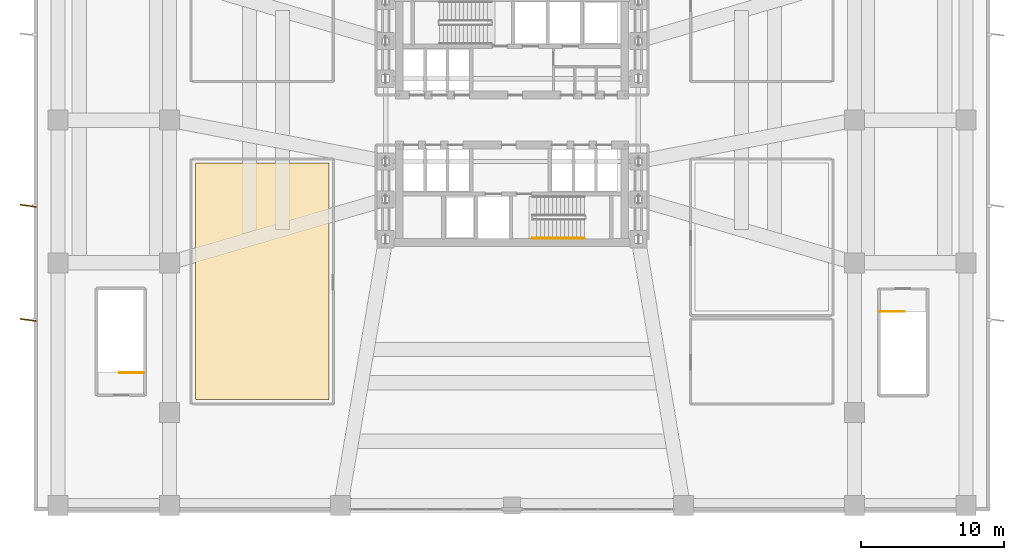
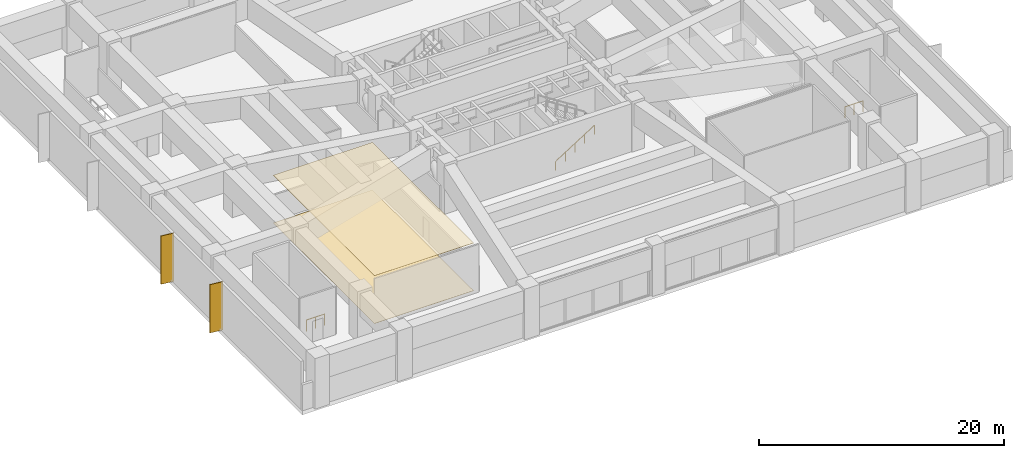
# One storey, part 11 of 14: 3 railings, 2 coverings, 2 shading devices.
"""IFC4 building model written with IfcOpenShell, lengths in metres."""

import ifcopenshell
import ifcopenshell.guid

model = None  # the IFC model being written
_history = None  # IfcOwnerHistory: only IFC2X3 demands one
_inside = {}  # id of a spatial element -> (the spatial element, [elements in it])
_under = {}  # id of a project, library or spatial element -> (it, [spatial elements below it])
_declared = {}  # id of a project -> (the project, [libraries it declares])
_typed = {}  # id of a type object -> (the type object, [elements of that type])
_made_of = {}  # id of a material, layer set ... -> (it, [elements and type objects made of it])


def new_model(schema):
    """Start an empty IFC model of exactly this schema.

    Asked for "IFC4X3", IfcOpenShell would pick the latest addendum, in which some entities
    have other attributes; the version numbers below select the first issue.
    IFC2X3 requires an IfcOwnerHistory on every rooted entity: one is made here for all.
    """
    global model, _history
    if schema == "IFC4X3":
        model = ifcopenshell.file(schema_version=(4, 3, 0, 0))
    else:
        model = ifcopenshell.file(schema=schema)
    _inside.clear()
    _under.clear()
    _declared.clear()
    _typed.clear()
    _made_of.clear()
    _history = None
    if model.schema == "IFC2X3":
        org = make("IfcOrganization", Name="unknown")
        user = make(
            "IfcPersonAndOrganization",
            ThePerson=make("IfcPerson", FamilyName="unknown"),
            TheOrganization=org,
        )
        app = make(
            "IfcApplication",
            ApplicationDeveloper=org,
            Version="unknown",
            ApplicationFullName="unknown",
            ApplicationIdentifier="unknown",
        )
        _history = make(
            "IfcOwnerHistory",
            OwningUser=user,
            OwningApplication=app,
            ChangeAction="ADDED",
            CreationDate=0,
        )
    return model


def make(cls, **values):
    """One entity of the class cls with the attributes given. An attribute that is None is left unset."""
    return model.create_entity(
        cls, **{name: value for name, value in values.items() if value is not None}
    )


def rooted(cls, **values):
    """An entity with a GlobalId (a new one), such as an element, a storey or a relation."""
    return make(cls, GlobalId=ifcopenshell.guid.new(), OwnerHistory=_history, **values)


def si_unit(unit_type, name, prefix=None):
    """IfcSIUnit, for example si_unit("LENGTHUNIT", "METRE", prefix="MILLI")."""
    return make("IfcSIUnit", UnitType=unit_type, Prefix=prefix, Name=name)


def assignment(units):
    """IfcUnitAssignment: the units of a project."""
    return None if units is None else make("IfcUnitAssignment", Units=units)


def point(xyz):
    """IfcCartesianPoint."""
    return None if xyz is None else make("IfcCartesianPoint", Coordinates=xyz)


def direction(xyz):
    """IfcDirection."""
    return None if xyz is None else make("IfcDirection", DirectionRatios=xyz)


def frame(location, z_axis=None, x_axis=None):
    """IfcAxis2Placement3D, a coordinate frame: its origin and axes. An axis left out is left unset."""
    return make(
        "IfcAxis2Placement3D",
        Location=point(location),
        Axis=direction(z_axis),
        RefDirection=direction(x_axis),
    )


def frame_2d(location, x_axis=None):
    """IfcAxis2Placement2D, a coordinate frame in the plane: its origin and x axis."""
    return make(
        "IfcAxis2Placement2D", Location=point(location), RefDirection=direction(x_axis)
    )


def origin():
    """The frame at (0, 0, 0) with its axes left unset."""
    return frame((0.0, 0.0, 0.0))


def origin_2d():
    """The frame at (0, 0) in the plane with its x axis left unset."""
    return frame_2d((0.0, 0.0))


def place(relative_to, where):
    """IfcLocalPlacement: puts the frame where relative to a parent placement (None: the world)."""
    return make(
        "IfcLocalPlacement", PlacementRelTo=relative_to, RelativePlacement=where
    )


def context(
    kind, dimensions, precision=None, world=None, true_north=None, identifier=None
):
    """IfcGeometricRepresentationContext, for example the 3D "Model" context."""
    return make(
        "IfcGeometricRepresentationContext",
        ContextIdentifier=identifier,
        ContextType=kind,
        CoordinateSpaceDimension=dimensions,
        Precision=precision,
        WorldCoordinateSystem=world,
        TrueNorth=true_north,
    )


def subcontext(parent, identifier, kind, view, scale=None):
    """IfcGeometricRepresentationSubContext, for example "Body" below "Model"."""
    return make(
        "IfcGeometricRepresentationSubContext",
        ContextIdentifier=identifier,
        ContextType=kind,
        ParentContext=parent,
        TargetScale=scale,
        TargetView=view,
    )


def project(units=None, contexts=None):
    """IfcProject with its units and contexts."""
    return rooted(
        "IfcProject",
        Name="project",
        RepresentationContexts=contexts,
        UnitsInContext=assignment(units),
    )


def spatial(cls, under=None, at=None, **own):
    """A site, building, storey or space (cls), placed at a placement, below another one or the project."""
    s = rooted(cls, ObjectPlacement=at, **own)
    if under is not None:
        _under.setdefault(under.id(), (under, []))[1].append(s)
    return s


def polyline(points):
    """IfcPolyline through the points."""
    return make("IfcPolyline", Points=[point(p) for p in points])


def profile(cls, at=None, kind="AREA", **sizes):
    """A parametric profile (cls). Its sizes go by their IFC names, for example OverallWidth=200.0."""
    return make(cls, ProfileType=kind, Position=at, **sizes)


def rectangle(**sizes):
    """IfcRectangleProfileDef."""
    return profile("IfcRectangleProfileDef", **sizes)


def circle(**sizes):
    """IfcCircleProfileDef."""
    return profile("IfcCircleProfileDef", **sizes)


def outline(outer, holes=None, kind="AREA"):
    """IfcArbitraryClosedProfileDef: a profile drawn as a closed curve; with holes, ...WithVoids."""
    if holes is None:
        return make("IfcArbitraryClosedProfileDef", ProfileType=kind, OuterCurve=outer)
    return make(
        "IfcArbitraryProfileDefWithVoids",
        ProfileType=kind,
        OuterCurve=outer,
        InnerCurves=holes,
    )


def extrude(swept, where, along, depth):
    """IfcExtrudedAreaSolid: the profile swept, set in the frame where, extruded along a direction by depth."""
    return make(
        "IfcExtrudedAreaSolid",
        SweptArea=swept,
        Position=where,
        ExtrudedDirection=direction(along),
        Depth=depth,
    )


def shape(context_of_items, identifier, shape_type, items):
    """IfcShapeRepresentation: the items that make up one representation, for example the "Body"."""
    return make(
        "IfcShapeRepresentation",
        ContextOfItems=context_of_items,
        RepresentationIdentifier=identifier,
        RepresentationType=shape_type,
        Items=items,
    )


def material(Name=None, Category=None):
    """IfcMaterial."""
    return make("IfcMaterial", Name=Name, Category=Category)


def layer(
    of_material, thickness, ventilated=None, Name=None, Category=None, Priority=None
):
    """IfcMaterialLayer: one layer of a wall or slab, of a material (None: an air gap)."""
    return make(
        "IfcMaterialLayer",
        Material=of_material,
        LayerThickness=thickness,
        IsVentilated=ventilated,
        Name=Name,
        Category=Category,
        Priority=Priority,
    )


def layer_set(layers, Name=None):
    """IfcMaterialLayerSet."""
    return make("IfcMaterialLayerSet", MaterialLayers=layers, LayerSetName=Name)


def made_of(thing, what):
    """Note that an element or type object is made of a material, layer set ...; save() writes the relation."""
    if what is not None:
        _made_of.setdefault(what.id(), (what, []))[1].append(thing)
    return thing


def type_object(cls, material=None, **own):
    """A type object (cls), such as IfcWallType, which elements share."""
    return made_of(rooted(cls, **own), material)


def element(
    cls,
    number,
    at=None,
    inside=None,
    cuts=None,
    type_object=None,
    material=None,
    context=None,
    identifier="Body",
    shape_type=None,
    held_by="IfcProductDefinitionShape",
    body=None,
    shapes=None,
    **own,
):
    """One element of the class cls, such as IfcWall. Its Tag is "e" and its number.

    at: its placement. inside: the storey or other place that contains it. cuts: it is an
    opening in that element (IfcRelVoidsElement). A single representation is given by context,
    identifier, shape_type and body (its items); several are given by shapes. held_by: the class
    of the entity that holds the representations. save() writes the other relations.
    """
    e = rooted(cls, Tag="e%d" % number, ObjectPlacement=at, **own)
    if body is not None:
        shapes = [shape(context, identifier, shape_type, body)]
    if shapes is not None:
        e.Representation = make(held_by, Representations=shapes)
    if inside is not None:
        _inside.setdefault(inside.id(), (inside, []))[1].append(e)
    if cuts is not None:
        rooted(
            "IfcRelVoidsElement", RelatingBuildingElement=cuts, RelatedOpeningElement=e
        )
    if type_object is not None:
        _typed.setdefault(type_object.id(), (type_object, []))[1].append(e)
    return made_of(e, material)


def aggregate(whole, parts):
    """IfcRelAggregates: a whole, such as a stair, and the parts it consists of."""
    return rooted("IfcRelAggregates", RelatingObject=whole, RelatedObjects=parts)


def save(model, path):
    """Write the relations noted so far, then the file.

    IfcRelAggregates (storeys below a building ...), IfcRelContainedInSpatialStructure (elements
    in a storey), IfcRelDefinesByType, IfcRelAssociatesMaterial and IfcRelDeclares: one each for
    every whole, place, type object, material and project.
    """
    for whole, parts in _under.values():
        aggregate(whole, parts)
    for where, things in _inside.values():
        rooted(
            "IfcRelContainedInSpatialStructure",
            RelatedElements=things,
            RelatingStructure=where,
        )
    for kind, things in _typed.values():
        rooted("IfcRelDefinesByType", RelatedObjects=things, RelatingType=kind)
    for what, things in _made_of.values():
        rooted("IfcRelAssociatesMaterial", RelatedObjects=things, RelatingMaterial=what)
    for by, libraries in _declared.values():
        rooted("IfcRelDeclares", RelatingContext=by, RelatedDefinitions=libraries)
    model.write(path)


model = new_model("IFC4")

# Units and contexts
model_context = context("Model", 3, precision=1e-05, world=origin(), true_north=direction((0.0, 1.0)))
body_context = subcontext(model_context, "Body", "Model", "MODEL_VIEW")
ifc_project = project(units=[si_unit("LENGTHUNIT", "METRE"), si_unit("AREAUNIT", "SQUARE_METRE"), si_unit("VOLUMEUNIT", "CUBIC_METRE"), si_unit("PLANEANGLEUNIT", "RADIAN"), si_unit("MASSUNIT", "GRAM", prefix="KILO")], contexts=[model_context])

# Site, building, storey
site_placement = place(None, origin())
site = spatial("IfcSite", under=ifc_project, at=site_placement, CompositionType="ELEMENT")
building_placement = place(site_placement, origin())
building = spatial("IfcBuilding", under=site, at=building_placement, Name="Solmarez Civic Tower", CompositionType="ELEMENT")
storey_placement = place(building_placement, frame((0.0, 0.0, 19.43994140625)))
storey = spatial("IfcBuildingStorey", under=building, at=storey_placement, Name="L04", CompositionType="ELEMENT", Elevation=19.43994140625)

# Coverings
ifc_material_1 = material(Name="Perforated Mineral-Fibre Acoustic Ceiling")
ifc_layer_1 = layer(ifc_material_1, 0.02490234375)
ifc_layer_set_1 = layer_set([ifc_layer_1], Name="Perforated Mineral-Fibre Acoustic Ceiling")
covering_type_1 = type_object("IfcCoveringType", Name="COV-CEIL-ACOUSTIC", PredefinedType="CEILING", material=ifc_layer_set_1)
covering_1_placement = place(storey_placement, frame((0.0, 0.0, 4.755126953125)))
element("IfcCovering", 1, at=covering_1_placement, inside=storey, type_object=covering_type_1, Name="L04 Suspended Acoustic Ceiling 1", PredefinedType="CEILING", context=body_context, shape_type="SweptSolid", body=[
    extrude(outline(polyline([(-12.820068359375, -19.580078125), (-12.820068359375, -3.02001953125), (-22.179931640625, -3.02001953125), (-22.179931640625, -19.580078125), (-12.820068359375, -19.580078125)])), origin(), (0.0, 0.0, 1.0), 0.02490234375),
])
ifc_material_2 = material(Name="Polished Tropical Stone Terrazzo Flooring", Category="masonry")
ifc_layer_2 = layer(ifc_material_2, 0.02001953125)
ifc_layer_set_2 = layer_set([ifc_layer_2], Name="Polished Tropical Stone Terrazzo Flooring")
covering_type_2 = type_object("IfcCoveringType", Name="COV-FLOOR-TERRAZZO", PredefinedType="FLOORING", material=ifc_layer_set_2)
covering_2_placement = place(storey_placement, origin())
element("IfcCovering", 2, at=covering_2_placement, inside=storey, type_object=covering_type_2, Name="L04 Terrazzo Floor Finish 1", PredefinedType="FLOORING", context=body_context, shape_type="SweptSolid", body=[
    extrude(outline(polyline([(-12.820068359375, -19.580078125), (-12.820068359375, -3.02001953125), (-22.179931640625, -3.02001953125), (-22.179931640625, -19.580078125), (-12.820068359375, -19.580078125)])), origin(), (0.0, 0.0, 1.0), 0.02001953125),
])

# Shading devices
ifc_material_3 = material(Name="Bronze Anodised Aluminium EN AW-6063 T6", Category="aluminium")
ifc_layer_3 = layer(ifc_material_3, 0.070068359375)
ifc_layer_set_3 = layer_set([ifc_layer_3], Name="Bronze Anodised Aluminium EN AW-6063 T6")
shading_device_type = type_object("IfcShadingDeviceType", Name="FIN-BRONZE-POD", PredefinedType="USERDEFINED", material=ifc_layer_set_3)
for number, where, z_axis, x_axis, name in (
    (3, (-33.89501953125, -14.0, -0.0400390625), (0.0, 0.0, 1.0), (-0.990983199715, 0.133986185418, 0.0), "L04 Anodised Bronze Solar Fin FIN-L04-W1"),
    (4, (-33.89501953125, -6.0, -0.0400390625), (0.0, 0.0, 1.0), (-0.990983199715, 0.133986185418, 0.0), "L04 Anodised Bronze Solar Fin FIN-L04-W2"),
):
    element("IfcShadingDevice", number, at=place(storey_placement, frame(where, z_axis=z_axis, x_axis=x_axis)), inside=storey, type_object=shading_device_type, Name=name, ObjectType="FIN", PredefinedType="USERDEFINED", context=body_context, shape_type="SweptSolid", body=[
        extrude(rectangle(XDim=1.14990234375, YDim=0.070068359375, at=origin_2d()), origin(), (0.0, 0.0, 1.0), 4.820068359375),
    ])

# Railings
ifc_material_4 = material(Name="Painted Steel Stairwell Safety Guard", Category="steel")
railing_type_1 = type_object("IfcRailingType", Name="GUARD-STAIR-1120", PredefinedType="BALUSTRADE", material=ifc_material_4)
railing_1_placement = place(storey_placement, frame((-25.800048828125, -17.699951171875, 0.0)))
element("IfcRailing", 5, at=railing_1_placement, inside=storey, type_object=railing_type_1, Name="L04 ST-P1 top well guard 1", PredefinedType="BALUSTRADE", context=body_context, shape_type="SweptSolid", body=[
    extrude(circle(Radius=0.02392578125, at=origin_2d()), frame((0.0, 0.0, 1.09619140625), z_axis=(-1.0, 0.0, 0.0), x_axis=(0.0, -1.0, 0.0)), (0.0, 0.0, 1.0), 1.699951171875),
    extrude(circle(Radius=0.02099609375, at=origin_2d()), origin(), (0.0, 0.0, 1.0), 1.072021484375),
    extrude(circle(Radius=0.02099609375, at=origin_2d()), frame((-0.85009765625, 0.0, 0.0)), (0.0, 0.0, 1.0), 1.072021484375),
    extrude(circle(Radius=0.02099609375, at=origin_2d()), frame((-1.699951171875, 0.0, 0.0)), (0.0, 0.0, 1.0), 1.072021484375),
])
railing_2_placement = place(storey_placement, frame((25.800048828125, -13.39990234375, 0.0)))
element("IfcRailing", 6, at=railing_2_placement, inside=storey, type_object=railing_type_1, Name="L04 ST-P2 top well guard 1", PredefinedType="BALUSTRADE", context=body_context, shape_type="SweptSolid", body=[
    extrude(circle(Radius=0.02392578125, at=origin_2d()), frame((0.0, 0.0, 1.09619140625), z_axis=(1.0, 0.0, 0.0), x_axis=(0.0, 1.0, 0.0)), (0.0, 0.0, 1.0), 1.699951171875),
    extrude(circle(Radius=0.02099609375, at=origin_2d()), origin(), (0.0, 0.0, 1.0), 1.072021484375),
    extrude(circle(Radius=0.02099609375, at=origin_2d()), frame((0.85009765625, 0.0, 0.0)), (0.0, 0.0, 1.0), 1.072021484375),
    extrude(circle(Radius=0.02099609375, at=origin_2d()), frame((1.699951171875, 0.0, 0.0)), (0.0, 0.0, 1.0), 1.072021484375),
])
ifc_material_5 = material(Name="Brushed Stainless Steel Tube Handrail", Category="steel")
railing_type_2 = type_object("IfcRailingType", Name="HANDRAIL-STAIR-900", PredefinedType="HANDRAIL", material=ifc_material_5)
railing_3_placement = place(storey_placement, frame((1.449951171875, -8.27001953125, 0.18017578125)))
element("IfcRailing", 7, at=railing_3_placement, inside=storey, type_object=railing_type_2, Name="L04 ST-2 stair handrail 1", PredefinedType="HANDRAIL", context=body_context, shape_type="SweptSolid", body=[
    extrude(circle(Radius=0.02392578125, at=origin_2d()), frame((0.0, 0.0, 0.8759765625), z_axis=(0.841204137849, 0.0, 0.540717669829), x_axis=(0.0, 1.0, 0.0)), (0.0, 0.0, 1.0), 4.327392578125),
    extrude(circle(Radius=0.02099609375, at=origin_2d()), origin(), (0.0, 0.0, 1.0), 0.851806640625),
    extrude(circle(Radius=0.02099609375, at=origin_2d()), frame((0.91015625, 0.0, 0.5849609375)), (0.0, 0.0, 1.0), 0.851806640625),
    extrude(circle(Radius=0.02099609375, at=origin_2d()), frame((1.820068359375, 0.0, 1.169921875)), (0.0, 0.0, 1.0), 0.851806640625),
    extrude(circle(Radius=0.02099609375, at=origin_2d()), frame((2.72998046875, 0.0, 1.7548828125)), (0.0, 0.0, 1.0), 0.851806640625),
    extrude(circle(Radius=0.02099609375, at=origin_2d()), frame((3.64013671875, 0.0, 2.33984375)), (0.0, 0.0, 1.0), 0.851806640625),
])

save(model, "model.ifc")
